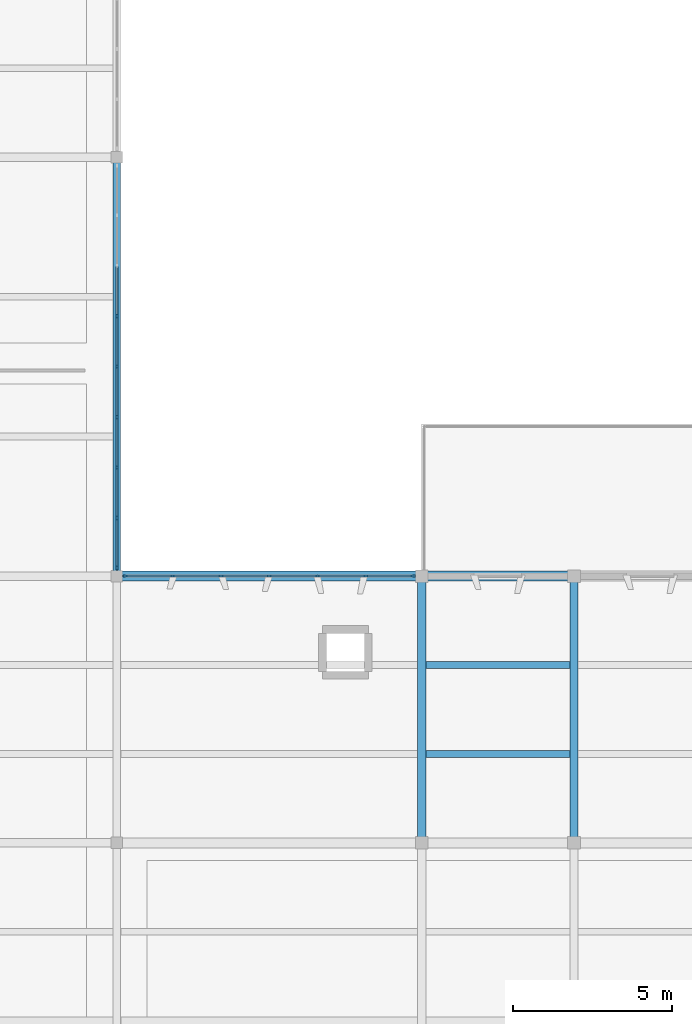
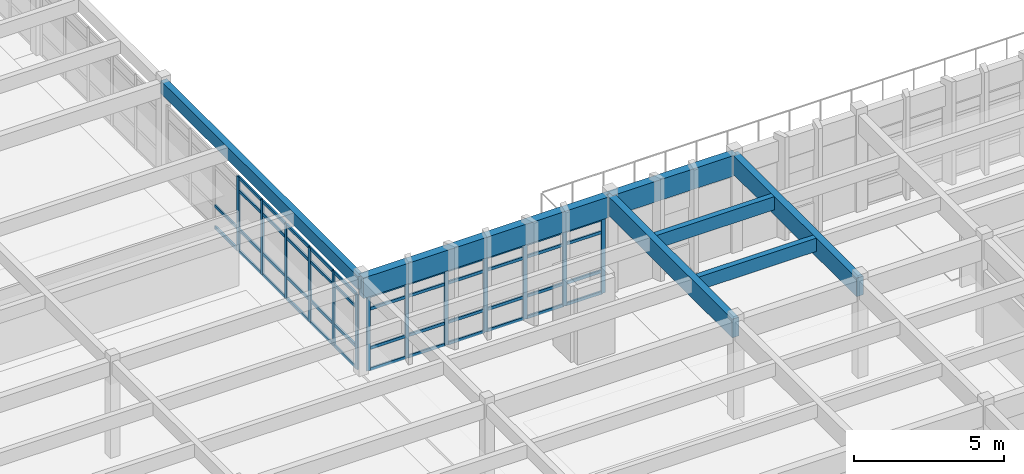
# One storey, part 11 of 61: 59 members, 7 beams, 2 elements without a shape of their own.
"""IFC4 building model written with IfcOpenShell, lengths in metres."""

from ifc_helpers import new_model, si_unit, direction, frame, origin, origin_2d, place, context, subcontext, project, spatial, rectangle, extrude, material, layer, layer_set, material_profile, profile_set, type_object, element, aggregate, save


model = new_model("IFC4")

# Units and contexts
model_context = context("Model", 3, precision=1e-05, world=origin(), true_north=direction((0.0, 1.0)))
body_context = subcontext(model_context, "Body", "Model", "MODEL_VIEW")
ifc_project = project(units=[si_unit("LENGTHUNIT", "METRE"), si_unit("AREAUNIT", "SQUARE_METRE"), si_unit("VOLUMEUNIT", "CUBIC_METRE"), si_unit("PLANEANGLEUNIT", "RADIAN"), si_unit("MASSUNIT", "GRAM", prefix="KILO")], contexts=[model_context])

# Site, building, storey
site_placement = place(None, origin())
site = spatial("IfcSite", under=ifc_project, at=site_placement, CompositionType="ELEMENT")
building_placement = place(site_placement, origin())
building = spatial("IfcBuilding", under=site, at=building_placement, Name="Kolvemor Railside Polytechnic", CompositionType="ELEMENT")
storey_placement = place(building_placement, frame((0.0, 0.0, 10.199951171875)))
storey = spatial("IfcBuildingStorey", under=building, at=storey_placement, Name="L02", CompositionType="ELEMENT", Elevation=10.199951171875)

# Beams
ifc_material_1 = material(Name="Glulam GL28h", Category="wood")
ifc_material_profile_1 = material_profile(ifc_material_1, rectangle(XDim=0.264892578125, YDim=0.760009765625, at=origin_2d()), Name="GL265x760")
ifc_profile_set_1 = profile_set([ifc_material_profile_1], Name="Glulam GL28h")
beam_type_1 = type_object("IfcBeamType", Name="BM-GL-GIRD1", PredefinedType="BEAM", material=ifc_profile_set_1)
for number, where, z_axis, x_axis, name in (
    (1, (57.60009765625, 30.0, 3.570068359375), (0.0, 1.0, 0.0), (-1.0, 0.0, 0.0), "Primary Girder L03-GY 1264"),
    (2, (62.39990234375, 30.0, 3.570068359375), (0.0, 1.0, 0.0), (-1.0, 0.0, 0.0), "Primary Girder L03-GY 1268"),
):
    element("IfcBeam", number, at=place(storey_placement, frame(where, z_axis=z_axis, x_axis=x_axis)), inside=storey, type_object=beam_type_1, Name=name, PredefinedType="BEAM", context=body_context, shape_type="SweptSolid", body=[
        extrude(rectangle(XDim=0.264892578125, YDim=0.760009765625, at=origin_2d()), origin(), (0.0, 0.0, 1.0), 8.39990234375),
    ])
ifc_material_2 = material(Name="Glulam GL28h", Category="wood")
ifc_material_profile_2 = material_profile(ifc_material_2, rectangle(XDim=0.31494140625, YDim=0.840087890625, at=origin_2d()), Name="GL315x840")
ifc_profile_set_2 = profile_set([ifc_material_profile_2], Name="Glulam GL28h")
beam_type_2 = type_object("IfcBeamType", Name="BM-GL-GIRD3", PredefinedType="BEAM", material=ifc_profile_set_2)
beam_1_placement = place(storey_placement, frame((57.60009765625, 38.39990234375, 3.530029296875), z_axis=(1.0, 0.0, 0.0), x_axis=(0.0, 1.0, 0.0)))
element("IfcBeam", 3, at=beam_1_placement, inside=storey, type_object=beam_type_2, Name="Primary Girder L03-GX 1252", PredefinedType="BEAM", context=body_context, shape_type="SweptSolid", body=[
    extrude(rectangle(XDim=0.31494140625, YDim=0.840087890625, at=origin_2d()), origin(), (0.0, 0.0, 1.0), 4.7998046875),
])
beam_2_placement = place(storey_placement, frame((48.0, 38.39990234375, 3.530029296875), z_axis=(1.0, 0.0, 0.0), x_axis=(0.0, 1.0, 0.0)))
element("IfcBeam", 4, at=beam_2_placement, inside=storey, type_object=beam_type_2, Name="Primary Girder L03-GX 1913", PredefinedType="BEAM", context=body_context, shape_type="SweptSolid", body=[
    extrude(rectangle(XDim=0.31494140625, YDim=0.840087890625, at=origin_2d()), origin(), (0.0, 0.0, 1.0), 9.60009765625),
])
ifc_material_3 = material(Name="Glulam GL28h", Category="wood")
ifc_material_profile_3 = material_profile(ifc_material_3, rectangle(XDim=0.239990234375, YDim=0.52001953125, at=origin_2d()), Name="GL240x520")
ifc_profile_set_3 = profile_set([ifc_material_profile_3], Name="Glulam GL28h")
beam_type_3 = type_object("IfcBeamType", Name="BM-GL-GIRD8", PredefinedType="BEAM", material=ifc_profile_set_3)
beam_3_placement = place(storey_placement, frame((48.0, 38.39990234375, 3.68994140625), z_axis=(0.0, 1.0, 0.0), x_axis=(-1.0, 0.0, 0.0)))
element("IfcBeam", 5, at=beam_3_placement, inside=storey, type_object=beam_type_3, Name="Primary Girder L03-GY 1160", PredefinedType="BEAM", context=body_context, shape_type="SweptSolid", body=[
    extrude(rectangle(XDim=0.239990234375, YDim=0.52001953125, at=origin_2d()), origin(), (0.0, 0.0, 1.0), 13.2001953125),
])
ifc_material_4 = material(Name="Glulam GL28h", Category="wood")
ifc_material_profile_4 = material_profile(ifc_material_4, rectangle(XDim=0.215087890625, YDim=0.5400390625, at=origin_2d()), Name="GL215x540")
ifc_profile_set_4 = profile_set([ifc_material_profile_4], Name="Glulam GL28h")
beam_type_4 = type_object("IfcBeamType", Name="BM-GL-JST1", PredefinedType="JOIST", material=ifc_profile_set_4)
for number, where, z_axis, x_axis, name in (
    (6, (57.73291015625, 32.800048828125, 3.679931640625), (1.0, 0.0, 0.0), (0.0, 1.0, 0.0), "Floor Joist L03-J1307"),
    (7, (57.73291015625, 35.60009765625, 3.679931640625), (1.0, 0.0, 0.0), (0.0, 1.0, 0.0), "Floor Joist L03-J1308"),
):
    element("IfcBeam", number, at=place(storey_placement, frame(where, z_axis=z_axis, x_axis=x_axis)), inside=storey, type_object=beam_type_4, Name=name, PredefinedType="JOIST", context=body_context, shape_type="SweptSolid", body=[
        extrude(rectangle(XDim=0.215087890625, YDim=0.5400390625, at=origin_2d()), origin(), (0.0, 0.0, 1.0), 4.5341796875),
    ])

# Curtain wall, members
ifc_material_5 = material(Name="Anodised marine aluminium and laminated low-E glass", Category="aluminium")
ifc_layer = layer(ifc_material_5, 0.179931640625, Name="CW-UNIT-STD")
ifc_layer_set = layer_set([ifc_layer], Name="Anodised marine aluminium and laminated low-E glass")
curtain_wall_type = type_object("IfcCurtainWallType", Name="CW-UNIT-STD", PredefinedType="USERDEFINED", material=ifc_layer_set)
curtain_wall_1_placement = place(storey_placement, origin())
curtain_wall_1 = element("IfcCurtainWall", 8, at=curtain_wall_1_placement, inside=storey, type_object=curtain_wall_type, Name="Curtain Wall L02-057", ObjectType="UNITISED CURTAIN WALL", PredefinedType="USERDEFINED")
ifc_material_6 = material(Name="Anodised marine aluminium 6063-T6", Category="aluminium")
ifc_material_profile_5 = material_profile(ifc_material_6, rectangle(XDim=0.06494140625, YDim=0.14990234375, at=origin_2d()), Name="CW-MUL-65x150")
ifc_profile_set_5 = profile_set([ifc_material_profile_5], Name="Anodised marine aluminium 6063-T6")
member_type_1 = type_object("IfcMemberType", Name="CWM-65x150", PredefinedType="MULLION", material=ifc_profile_set_5)
member_1_placement = place(storey_placement, frame((48.0, 38.672607421875, 0.0), z_axis=(0.0, 0.0, 1.0), x_axis=(-1.0, 0.0, 0.0)))
member_1 = element("IfcMember", 9, at=member_1_placement, type_object=member_type_1, Name="CW-STD mullion 1", PredefinedType="MULLION", context=body_context, shape_type="SweptSolid", body=[
    extrude(rectangle(XDim=0.06494140625, YDim=0.14990234375, at=origin_2d()), origin(), (0.0, 0.0, 1.0), 3.050048828125),
])
member_2_placement = place(storey_placement, frame((48.0, 40.22998046875, 0.0), z_axis=(0.0, 0.0, 1.0), x_axis=(-1.0, 0.0, 0.0)))
member_2 = element("IfcMember", 10, at=member_2_placement, type_object=member_type_1, Name="CW-STD mullion 2", PredefinedType="MULLION", context=body_context, shape_type="SweptSolid", body=[
    extrude(rectangle(XDim=0.06494140625, YDim=0.14990234375, at=origin_2d()), origin(), (0.0, 0.0, 1.0), 3.050048828125),
])
member_3_placement = place(storey_placement, frame((48.0, 41.820068359375, 0.0), z_axis=(0.0, 0.0, 1.0), x_axis=(-1.0, 0.0, 0.0)))
member_3 = element("IfcMember", 11, at=member_3_placement, type_object=member_type_1, Name="CW-STD mullion 3", PredefinedType="MULLION", context=body_context, shape_type="SweptSolid", body=[
    extrude(rectangle(XDim=0.06494140625, YDim=0.14990234375, at=origin_2d()), origin(), (0.0, 0.0, 1.0), 3.050048828125),
])
member_4_placement = place(storey_placement, frame((48.0, 43.409912109375, 0.0), z_axis=(0.0, 0.0, 1.0), x_axis=(-1.0, 0.0, 0.0)))
member_4 = element("IfcMember", 12, at=member_4_placement, type_object=member_type_1, Name="CW-STD mullion 4", PredefinedType="MULLION", context=body_context, shape_type="SweptSolid", body=[
    extrude(rectangle(XDim=0.06494140625, YDim=0.14990234375, at=origin_2d()), origin(), (0.0, 0.0, 1.0), 3.050048828125),
])
member_5_placement = place(storey_placement, frame((48.0, 45.0, 0.0), z_axis=(0.0, 0.0, 1.0), x_axis=(-1.0, 0.0, 0.0)))
member_5 = element("IfcMember", 13, at=member_5_placement, type_object=member_type_1, Name="CW-STD mullion 5", PredefinedType="MULLION", context=body_context, shape_type="SweptSolid", body=[
    extrude(rectangle(XDim=0.06494140625, YDim=0.14990234375, at=origin_2d()), origin(), (0.0, 0.0, 1.0), 3.050048828125),
])
member_6_placement = place(storey_placement, frame((48.0, 46.590087890625, 0.0), z_axis=(0.0, 0.0, 1.0), x_axis=(-1.0, 0.0, 0.0)))
member_6 = element("IfcMember", 14, at=member_6_placement, type_object=member_type_1, Name="CW-STD mullion 6", PredefinedType="MULLION", context=body_context, shape_type="SweptSolid", body=[
    extrude(rectangle(XDim=0.06494140625, YDim=0.14990234375, at=origin_2d()), origin(), (0.0, 0.0, 1.0), 3.050048828125),
])

curtain_wall_2_placement = place(storey_placement, origin())
curtain_wall_2 = element("IfcCurtainWall", 15, at=curtain_wall_2_placement, inside=storey, type_object=curtain_wall_type, Name="Curtain Wall L02-120", ObjectType="UNITISED CURTAIN WALL", PredefinedType="USERDEFINED")
member_7_placement = place(storey_placement, frame((57.327392578125, 38.39990234375, 0.0), z_axis=(0.0, 0.0, 1.0), x_axis=(0.0, -1.0, 0.0)))
member_7 = element("IfcMember", 16, at=member_7_placement, type_object=member_type_1, Name="CW-STD mullion 1", PredefinedType="MULLION", context=body_context, shape_type="SweptSolid", body=[
    extrude(rectangle(XDim=0.06494140625, YDim=0.14990234375, at=origin_2d()), origin(), (0.0, 0.0, 1.0), 3.050048828125),
])
member_8_placement = place(storey_placement, frame((55.840087890625, 38.39990234375, 0.0), z_axis=(0.0, 0.0, 1.0), x_axis=(0.0, -1.0, 0.0)))
member_8 = element("IfcMember", 17, at=member_8_placement, type_object=member_type_1, Name="CW-STD mullion 2", PredefinedType="MULLION", context=body_context, shape_type="SweptSolid", body=[
    extrude(rectangle(XDim=0.06494140625, YDim=0.14990234375, at=origin_2d()), origin(), (0.0, 0.0, 1.0), 3.050048828125),
])
member_9_placement = place(storey_placement, frame((54.320068359375, 38.39990234375, 0.0), z_axis=(0.0, 0.0, 1.0), x_axis=(0.0, -1.0, 0.0)))
member_9 = element("IfcMember", 18, at=member_9_placement, type_object=member_type_1, Name="CW-STD mullion 3", PredefinedType="MULLION", context=body_context, shape_type="SweptSolid", body=[
    extrude(rectangle(XDim=0.06494140625, YDim=0.14990234375, at=origin_2d()), origin(), (0.0, 0.0, 1.0), 3.050048828125),
])
member_10_placement = place(storey_placement, frame((52.800048828125, 38.39990234375, 0.0), z_axis=(0.0, 0.0, 1.0), x_axis=(0.0, -1.0, 0.0)))
member_10 = element("IfcMember", 19, at=member_10_placement, type_object=member_type_1, Name="CW-STD mullion 4", PredefinedType="MULLION", context=body_context, shape_type="SweptSolid", body=[
    extrude(rectangle(XDim=0.06494140625, YDim=0.14990234375, at=origin_2d()), origin(), (0.0, 0.0, 1.0), 3.050048828125),
])
member_11_placement = place(storey_placement, frame((51.280029296875, 38.39990234375, 0.0), z_axis=(0.0, 0.0, 1.0), x_axis=(0.0, -1.0, 0.0)))
member_11 = element("IfcMember", 20, at=member_11_placement, type_object=member_type_1, Name="CW-STD mullion 5", PredefinedType="MULLION", context=body_context, shape_type="SweptSolid", body=[
    extrude(rectangle(XDim=0.06494140625, YDim=0.14990234375, at=origin_2d()), origin(), (0.0, 0.0, 1.0), 3.050048828125),
])
member_12_placement = place(storey_placement, frame((49.760009765625, 38.39990234375, 0.0), z_axis=(0.0, 0.0, 1.0), x_axis=(0.0, -1.0, 0.0)))
member_12 = element("IfcMember", 21, at=member_12_placement, type_object=member_type_1, Name="CW-STD mullion 6", PredefinedType="MULLION", context=body_context, shape_type="SweptSolid", body=[
    extrude(rectangle(XDim=0.06494140625, YDim=0.14990234375, at=origin_2d()), origin(), (0.0, 0.0, 1.0), 3.050048828125),
])
member_13_placement = place(storey_placement, frame((48.2724609375, 38.39990234375, 0.0), z_axis=(0.0, 0.0, 1.0), x_axis=(0.0, -1.0, 0.0)))
member_13 = element("IfcMember", 22, at=member_13_placement, type_object=member_type_1, Name="CW-STD mullion 7", PredefinedType="MULLION", context=body_context, shape_type="SweptSolid", body=[
    extrude(rectangle(XDim=0.06494140625, YDim=0.14990234375, at=origin_2d()), origin(), (0.0, 0.0, 1.0), 3.050048828125),
])

# Member
ifc_material_7 = material(Name="Anodised marine aluminium 6063-T6", Category="aluminium")
ifc_material_profile_6 = material_profile(ifc_material_7, rectangle(XDim=0.06494140625, YDim=0.1201171875, at=origin_2d()), Name="CW-TRN-65x120")
ifc_profile_set_6 = profile_set([ifc_material_profile_6], Name="Anodised marine aluminium 6063-T6")
member_type_2 = type_object("IfcMemberType", Name="CWT-65x120", PredefinedType="USERDEFINED", material=ifc_profile_set_6)
member_14_placement = place(storey_placement, frame((48.0, 38.705078125, 0.032470703125), z_axis=(0.0, 1.0, 0.0), x_axis=(-1.0, 0.0, 0.0)))
member_14 = element("IfcMember", 23, at=member_14_placement, type_object=member_type_2, Name="CW-STD transom 1.1", ObjectType="TRANSOM", PredefinedType="USERDEFINED", context=body_context, shape_type="SweptSolid", body=[
    extrude(rectangle(XDim=0.06494140625, YDim=0.1201171875, at=origin_2d()), origin(), (0.0, 0.0, 1.0), 1.492431640625),
])

member_15_placement = place(storey_placement, frame((48.0, 38.705078125, 0.900146484375), z_axis=(0.0, 1.0, 0.0), x_axis=(-1.0, 0.0, 0.0)))
member_15 = element("IfcMember", 24, at=member_15_placement, type_object=member_type_2, Name="CW-STD transom 1.2", ObjectType="TRANSOM", PredefinedType="USERDEFINED", context=body_context, shape_type="SweptSolid", body=[
    extrude(rectangle(XDim=0.06494140625, YDim=0.1201171875, at=origin_2d()), origin(), (0.0, 0.0, 1.0), 1.492431640625),
])

member_16_placement = place(storey_placement, frame((48.0, 38.705078125, 2.5), z_axis=(0.0, 1.0, 0.0), x_axis=(-1.0, 0.0, 0.0)))
member_16 = element("IfcMember", 25, at=member_16_placement, type_object=member_type_2, Name="CW-STD transom 1.3", ObjectType="TRANSOM", PredefinedType="USERDEFINED", context=body_context, shape_type="SweptSolid", body=[
    extrude(rectangle(XDim=0.06494140625, YDim=0.1201171875, at=origin_2d()), origin(), (0.0, 0.0, 1.0), 1.492431640625),
])

member_17_placement = place(storey_placement, frame((48.0, 38.705078125, 3.017578125), z_axis=(0.0, 1.0, 0.0), x_axis=(-1.0, 0.0, 0.0)))
member_17 = element("IfcMember", 26, at=member_17_placement, type_object=member_type_2, Name="CW-STD transom 1.4", ObjectType="TRANSOM", PredefinedType="USERDEFINED", context=body_context, shape_type="SweptSolid", body=[
    extrude(rectangle(XDim=0.06494140625, YDim=0.1201171875, at=origin_2d()), origin(), (0.0, 0.0, 1.0), 1.492431640625),
])

member_18_placement = place(storey_placement, frame((48.0, 40.262451171875, 0.032470703125), z_axis=(0.0, 1.0, 0.0), x_axis=(-1.0, 0.0, 0.0)))
member_18 = element("IfcMember", 27, at=member_18_placement, type_object=member_type_2, Name="CW-STD transom 2.1", ObjectType="TRANSOM", PredefinedType="USERDEFINED", context=body_context, shape_type="SweptSolid", body=[
    extrude(rectangle(XDim=0.06494140625, YDim=0.1201171875, at=origin_2d()), origin(), (0.0, 0.0, 1.0), 1.525146484375),
])

member_19_placement = place(storey_placement, frame((48.0, 40.262451171875, 0.900146484375), z_axis=(0.0, 1.0, 0.0), x_axis=(-1.0, 0.0, 0.0)))
member_19 = element("IfcMember", 28, at=member_19_placement, type_object=member_type_2, Name="CW-STD transom 2.2", ObjectType="TRANSOM", PredefinedType="USERDEFINED", context=body_context, shape_type="SweptSolid", body=[
    extrude(rectangle(XDim=0.06494140625, YDim=0.1201171875, at=origin_2d()), origin(), (0.0, 0.0, 1.0), 1.525146484375),
])

member_20_placement = place(storey_placement, frame((48.0, 40.262451171875, 2.5), z_axis=(0.0, 1.0, 0.0), x_axis=(-1.0, 0.0, 0.0)))
member_20 = element("IfcMember", 29, at=member_20_placement, type_object=member_type_2, Name="CW-STD transom 2.3", ObjectType="TRANSOM", PredefinedType="USERDEFINED", context=body_context, shape_type="SweptSolid", body=[
    extrude(rectangle(XDim=0.06494140625, YDim=0.1201171875, at=origin_2d()), origin(), (0.0, 0.0, 1.0), 1.525146484375),
])

member_21_placement = place(storey_placement, frame((48.0, 40.262451171875, 3.017578125), z_axis=(0.0, 1.0, 0.0), x_axis=(-1.0, 0.0, 0.0)))
member_21 = element("IfcMember", 30, at=member_21_placement, type_object=member_type_2, Name="CW-STD transom 2.4", ObjectType="TRANSOM", PredefinedType="USERDEFINED", context=body_context, shape_type="SweptSolid", body=[
    extrude(rectangle(XDim=0.06494140625, YDim=0.1201171875, at=origin_2d()), origin(), (0.0, 0.0, 1.0), 1.525146484375),
])

member_22_placement = place(storey_placement, frame((48.0, 41.8525390625, 0.032470703125), z_axis=(0.0, 1.0, 0.0), x_axis=(-1.0, 0.0, 0.0)))
member_22 = element("IfcMember", 31, at=member_22_placement, type_object=member_type_2, Name="CW-STD transom 3.1", ObjectType="TRANSOM", PredefinedType="USERDEFINED", context=body_context, shape_type="SweptSolid", body=[
    extrude(rectangle(XDim=0.06494140625, YDim=0.1201171875, at=origin_2d()), origin(), (0.0, 0.0, 1.0), 1.52490234375),
])

member_23_placement = place(storey_placement, frame((48.0, 41.8525390625, 0.900146484375), z_axis=(0.0, 1.0, 0.0), x_axis=(-1.0, 0.0, 0.0)))
member_23 = element("IfcMember", 32, at=member_23_placement, type_object=member_type_2, Name="CW-STD transom 3.2", ObjectType="TRANSOM", PredefinedType="USERDEFINED", context=body_context, shape_type="SweptSolid", body=[
    extrude(rectangle(XDim=0.06494140625, YDim=0.1201171875, at=origin_2d()), origin(), (0.0, 0.0, 1.0), 1.52490234375),
])

member_24_placement = place(storey_placement, frame((48.0, 41.8525390625, 2.5), z_axis=(0.0, 1.0, 0.0), x_axis=(-1.0, 0.0, 0.0)))
member_24 = element("IfcMember", 33, at=member_24_placement, type_object=member_type_2, Name="CW-STD transom 3.3", ObjectType="TRANSOM", PredefinedType="USERDEFINED", context=body_context, shape_type="SweptSolid", body=[
    extrude(rectangle(XDim=0.06494140625, YDim=0.1201171875, at=origin_2d()), origin(), (0.0, 0.0, 1.0), 1.52490234375),
])

member_25_placement = place(storey_placement, frame((48.0, 41.8525390625, 3.017578125), z_axis=(0.0, 1.0, 0.0), x_axis=(-1.0, 0.0, 0.0)))
member_25 = element("IfcMember", 34, at=member_25_placement, type_object=member_type_2, Name="CW-STD transom 3.4", ObjectType="TRANSOM", PredefinedType="USERDEFINED", context=body_context, shape_type="SweptSolid", body=[
    extrude(rectangle(XDim=0.06494140625, YDim=0.1201171875, at=origin_2d()), origin(), (0.0, 0.0, 1.0), 1.52490234375),
])

member_26_placement = place(storey_placement, frame((48.0, 43.4423828125, 0.032470703125), z_axis=(0.0, 1.0, 0.0), x_axis=(-1.0, 0.0, 0.0)))
member_26 = element("IfcMember", 35, at=member_26_placement, type_object=member_type_2, Name="CW-STD transom 4.1", ObjectType="TRANSOM", PredefinedType="USERDEFINED", context=body_context, shape_type="SweptSolid", body=[
    extrude(rectangle(XDim=0.06494140625, YDim=0.1201171875, at=origin_2d()), origin(), (0.0, 0.0, 1.0), 1.525146484375),
])

member_27_placement = place(storey_placement, frame((48.0, 43.4423828125, 0.900146484375), z_axis=(0.0, 1.0, 0.0), x_axis=(-1.0, 0.0, 0.0)))
member_27 = element("IfcMember", 36, at=member_27_placement, type_object=member_type_2, Name="CW-STD transom 4.2", ObjectType="TRANSOM", PredefinedType="USERDEFINED", context=body_context, shape_type="SweptSolid", body=[
    extrude(rectangle(XDim=0.06494140625, YDim=0.1201171875, at=origin_2d()), origin(), (0.0, 0.0, 1.0), 1.525146484375),
])

member_28_placement = place(storey_placement, frame((48.0, 43.4423828125, 2.5), z_axis=(0.0, 1.0, 0.0), x_axis=(-1.0, 0.0, 0.0)))
member_28 = element("IfcMember", 37, at=member_28_placement, type_object=member_type_2, Name="CW-STD transom 4.3", ObjectType="TRANSOM", PredefinedType="USERDEFINED", context=body_context, shape_type="SweptSolid", body=[
    extrude(rectangle(XDim=0.06494140625, YDim=0.1201171875, at=origin_2d()), origin(), (0.0, 0.0, 1.0), 1.525146484375),
])

member_29_placement = place(storey_placement, frame((48.0, 43.4423828125, 3.017578125), z_axis=(0.0, 1.0, 0.0), x_axis=(-1.0, 0.0, 0.0)))
member_29 = element("IfcMember", 38, at=member_29_placement, type_object=member_type_2, Name="CW-STD transom 4.4", ObjectType="TRANSOM", PredefinedType="USERDEFINED", context=body_context, shape_type="SweptSolid", body=[
    extrude(rectangle(XDim=0.06494140625, YDim=0.1201171875, at=origin_2d()), origin(), (0.0, 0.0, 1.0), 1.525146484375),
])

member_30_placement = place(storey_placement, frame((48.0, 45.032470703125, 0.032470703125), z_axis=(0.0, 1.0, 0.0), x_axis=(-1.0, 0.0, 0.0)))
member_30 = element("IfcMember", 39, at=member_30_placement, type_object=member_type_2, Name="CW-STD transom 5.1", ObjectType="TRANSOM", PredefinedType="USERDEFINED", context=body_context, shape_type="SweptSolid", body=[
    extrude(rectangle(XDim=0.06494140625, YDim=0.1201171875, at=origin_2d()), origin(), (0.0, 0.0, 1.0), 1.525146484375),
])

member_31_placement = place(storey_placement, frame((48.0, 45.032470703125, 0.900146484375), z_axis=(0.0, 1.0, 0.0), x_axis=(-1.0, 0.0, 0.0)))
member_31 = element("IfcMember", 40, at=member_31_placement, type_object=member_type_2, Name="CW-STD transom 5.2", ObjectType="TRANSOM", PredefinedType="USERDEFINED", context=body_context, shape_type="SweptSolid", body=[
    extrude(rectangle(XDim=0.06494140625, YDim=0.1201171875, at=origin_2d()), origin(), (0.0, 0.0, 1.0), 1.525146484375),
])

member_32_placement = place(storey_placement, frame((48.0, 45.032470703125, 2.5), z_axis=(0.0, 1.0, 0.0), x_axis=(-1.0, 0.0, 0.0)))
member_32 = element("IfcMember", 41, at=member_32_placement, type_object=member_type_2, Name="CW-STD transom 5.3", ObjectType="TRANSOM", PredefinedType="USERDEFINED", context=body_context, shape_type="SweptSolid", body=[
    extrude(rectangle(XDim=0.06494140625, YDim=0.1201171875, at=origin_2d()), origin(), (0.0, 0.0, 1.0), 1.525146484375),
])

member_33_placement = place(storey_placement, frame((48.0, 45.032470703125, 3.017578125), z_axis=(0.0, 1.0, 0.0), x_axis=(-1.0, 0.0, 0.0)))
member_33 = element("IfcMember", 42, at=member_33_placement, type_object=member_type_2, Name="CW-STD transom 5.4", ObjectType="TRANSOM", PredefinedType="USERDEFINED", context=body_context, shape_type="SweptSolid", body=[
    extrude(rectangle(XDim=0.06494140625, YDim=0.1201171875, at=origin_2d()), origin(), (0.0, 0.0, 1.0), 1.525146484375),
])

member_34_placement = place(storey_placement, frame((48.0, 46.62255859375, 0.032470703125), z_axis=(0.0, 1.0, 0.0), x_axis=(-1.0, 0.0, 0.0)))
member_34 = element("IfcMember", 43, at=member_34_placement, type_object=member_type_2, Name="CW-STD transom 6.1", ObjectType="TRANSOM", PredefinedType="USERDEFINED", context=body_context, shape_type="SweptSolid", body=[
    extrude(rectangle(XDim=0.06494140625, YDim=0.1201171875, at=origin_2d()), origin(), (0.0, 0.0, 1.0), 1.52490234375),
])

member_35_placement = place(storey_placement, frame((48.0, 46.62255859375, 0.900146484375), z_axis=(0.0, 1.0, 0.0), x_axis=(-1.0, 0.0, 0.0)))
member_35 = element("IfcMember", 44, at=member_35_placement, type_object=member_type_2, Name="CW-STD transom 6.2", ObjectType="TRANSOM", PredefinedType="USERDEFINED", context=body_context, shape_type="SweptSolid", body=[
    extrude(rectangle(XDim=0.06494140625, YDim=0.1201171875, at=origin_2d()), origin(), (0.0, 0.0, 1.0), 1.52490234375),
])

aggregate(curtain_wall_1, [member_1, member_2, member_3, member_4, member_5, member_6, member_14, member_15, member_16, member_17, member_18, member_19, member_20, member_21, member_22, member_23, member_24, member_25, member_26, member_27, member_28, member_29, member_30, member_31, member_32, member_33, member_34, member_35])

member_36_placement = place(storey_placement, frame((57.294921875, 38.39990234375, 0.032470703125), z_axis=(-1.0, 0.0, 0.0), x_axis=(0.0, -1.0, 0.0)))
member_36 = element("IfcMember", 45, at=member_36_placement, type_object=member_type_2, Name="CW-STD transom 1.1", ObjectType="TRANSOM", PredefinedType="USERDEFINED", context=body_context, shape_type="SweptSolid", body=[
    extrude(rectangle(XDim=0.06494140625, YDim=0.1201171875, at=origin_2d()), origin(), (0.0, 0.0, 1.0), 1.42236328125),
])

member_37_placement = place(storey_placement, frame((57.294921875, 38.39990234375, 0.900146484375), z_axis=(-1.0, 0.0, 0.0), x_axis=(0.0, -1.0, 0.0)))
member_37 = element("IfcMember", 46, at=member_37_placement, type_object=member_type_2, Name="CW-STD transom 1.2", ObjectType="TRANSOM", PredefinedType="USERDEFINED", context=body_context, shape_type="SweptSolid", body=[
    extrude(rectangle(XDim=0.06494140625, YDim=0.1201171875, at=origin_2d()), origin(), (0.0, 0.0, 1.0), 1.42236328125),
])

member_38_placement = place(storey_placement, frame((57.294921875, 38.39990234375, 2.5), z_axis=(-1.0, 0.0, 0.0), x_axis=(0.0, -1.0, 0.0)))
member_38 = element("IfcMember", 47, at=member_38_placement, type_object=member_type_2, Name="CW-STD transom 1.3", ObjectType="TRANSOM", PredefinedType="USERDEFINED", context=body_context, shape_type="SweptSolid", body=[
    extrude(rectangle(XDim=0.06494140625, YDim=0.1201171875, at=origin_2d()), origin(), (0.0, 0.0, 1.0), 1.42236328125),
])

member_39_placement = place(storey_placement, frame((57.294921875, 38.39990234375, 3.017578125), z_axis=(-1.0, 0.0, 0.0), x_axis=(0.0, -1.0, 0.0)))
member_39 = element("IfcMember", 48, at=member_39_placement, type_object=member_type_2, Name="CW-STD transom 1.4", ObjectType="TRANSOM", PredefinedType="USERDEFINED", context=body_context, shape_type="SweptSolid", body=[
    extrude(rectangle(XDim=0.06494140625, YDim=0.1201171875, at=origin_2d()), origin(), (0.0, 0.0, 1.0), 1.42236328125),
])

member_40_placement = place(storey_placement, frame((55.8076171875, 38.39990234375, 0.032470703125), z_axis=(-1.0, 0.0, 0.0), x_axis=(0.0, -1.0, 0.0)))
member_40 = element("IfcMember", 49, at=member_40_placement, type_object=member_type_2, Name="CW-STD transom 2.1", ObjectType="TRANSOM", PredefinedType="USERDEFINED", context=body_context, shape_type="SweptSolid", body=[
    extrude(rectangle(XDim=0.06494140625, YDim=0.1201171875, at=origin_2d()), origin(), (0.0, 0.0, 1.0), 1.455078125),
])

member_41_placement = place(storey_placement, frame((55.8076171875, 38.39990234375, 0.900146484375), z_axis=(-1.0, 0.0, 0.0), x_axis=(0.0, -1.0, 0.0)))
member_41 = element("IfcMember", 50, at=member_41_placement, type_object=member_type_2, Name="CW-STD transom 2.2", ObjectType="TRANSOM", PredefinedType="USERDEFINED", context=body_context, shape_type="SweptSolid", body=[
    extrude(rectangle(XDim=0.06494140625, YDim=0.1201171875, at=origin_2d()), origin(), (0.0, 0.0, 1.0), 1.455078125),
])

member_42_placement = place(storey_placement, frame((55.8076171875, 38.39990234375, 2.5), z_axis=(-1.0, 0.0, 0.0), x_axis=(0.0, -1.0, 0.0)))
member_42 = element("IfcMember", 51, at=member_42_placement, type_object=member_type_2, Name="CW-STD transom 2.3", ObjectType="TRANSOM", PredefinedType="USERDEFINED", context=body_context, shape_type="SweptSolid", body=[
    extrude(rectangle(XDim=0.06494140625, YDim=0.1201171875, at=origin_2d()), origin(), (0.0, 0.0, 1.0), 1.455078125),
])

member_43_placement = place(storey_placement, frame((55.8076171875, 38.39990234375, 3.017578125), z_axis=(-1.0, 0.0, 0.0), x_axis=(0.0, -1.0, 0.0)))
member_43 = element("IfcMember", 52, at=member_43_placement, type_object=member_type_2, Name="CW-STD transom 2.4", ObjectType="TRANSOM", PredefinedType="USERDEFINED", context=body_context, shape_type="SweptSolid", body=[
    extrude(rectangle(XDim=0.06494140625, YDim=0.1201171875, at=origin_2d()), origin(), (0.0, 0.0, 1.0), 1.455078125),
])

member_44_placement = place(storey_placement, frame((54.28759765625, 38.39990234375, 0.032470703125), z_axis=(-1.0, 0.0, 0.0), x_axis=(0.0, -1.0, 0.0)))
member_44 = element("IfcMember", 53, at=member_44_placement, type_object=member_type_2, Name="CW-STD transom 3.1", ObjectType="TRANSOM", PredefinedType="USERDEFINED", context=body_context, shape_type="SweptSolid", body=[
    extrude(rectangle(XDim=0.06494140625, YDim=0.1201171875, at=origin_2d()), origin(), (0.0, 0.0, 1.0), 1.455078125),
])

member_45_placement = place(storey_placement, frame((54.28759765625, 38.39990234375, 0.900146484375), z_axis=(-1.0, 0.0, 0.0), x_axis=(0.0, -1.0, 0.0)))
member_45 = element("IfcMember", 54, at=member_45_placement, type_object=member_type_2, Name="CW-STD transom 3.2", ObjectType="TRANSOM", PredefinedType="USERDEFINED", context=body_context, shape_type="SweptSolid", body=[
    extrude(rectangle(XDim=0.06494140625, YDim=0.1201171875, at=origin_2d()), origin(), (0.0, 0.0, 1.0), 1.455078125),
])

member_46_placement = place(storey_placement, frame((54.28759765625, 38.39990234375, 2.5), z_axis=(-1.0, 0.0, 0.0), x_axis=(0.0, -1.0, 0.0)))
member_46 = element("IfcMember", 55, at=member_46_placement, type_object=member_type_2, Name="CW-STD transom 3.3", ObjectType="TRANSOM", PredefinedType="USERDEFINED", context=body_context, shape_type="SweptSolid", body=[
    extrude(rectangle(XDim=0.06494140625, YDim=0.1201171875, at=origin_2d()), origin(), (0.0, 0.0, 1.0), 1.455078125),
])

member_47_placement = place(storey_placement, frame((54.28759765625, 38.39990234375, 3.017578125), z_axis=(-1.0, 0.0, 0.0), x_axis=(0.0, -1.0, 0.0)))
member_47 = element("IfcMember", 56, at=member_47_placement, type_object=member_type_2, Name="CW-STD transom 3.4", ObjectType="TRANSOM", PredefinedType="USERDEFINED", context=body_context, shape_type="SweptSolid", body=[
    extrude(rectangle(XDim=0.06494140625, YDim=0.1201171875, at=origin_2d()), origin(), (0.0, 0.0, 1.0), 1.455078125),
])

member_48_placement = place(storey_placement, frame((52.767578125, 38.39990234375, 0.032470703125), z_axis=(-1.0, 0.0, 0.0), x_axis=(0.0, -1.0, 0.0)))
member_48 = element("IfcMember", 57, at=member_48_placement, type_object=member_type_2, Name="CW-STD transom 4.1", ObjectType="TRANSOM", PredefinedType="USERDEFINED", context=body_context, shape_type="SweptSolid", body=[
    extrude(rectangle(XDim=0.06494140625, YDim=0.1201171875, at=origin_2d()), origin(), (0.0, 0.0, 1.0), 1.455078125),
])

member_49_placement = place(storey_placement, frame((52.767578125, 38.39990234375, 0.900146484375), z_axis=(-1.0, 0.0, 0.0), x_axis=(0.0, -1.0, 0.0)))
member_49 = element("IfcMember", 58, at=member_49_placement, type_object=member_type_2, Name="CW-STD transom 4.2", ObjectType="TRANSOM", PredefinedType="USERDEFINED", context=body_context, shape_type="SweptSolid", body=[
    extrude(rectangle(XDim=0.06494140625, YDim=0.1201171875, at=origin_2d()), origin(), (0.0, 0.0, 1.0), 1.455078125),
])

member_50_placement = place(storey_placement, frame((52.767578125, 38.39990234375, 2.5), z_axis=(-1.0, 0.0, 0.0), x_axis=(0.0, -1.0, 0.0)))
member_50 = element("IfcMember", 59, at=member_50_placement, type_object=member_type_2, Name="CW-STD transom 4.3", ObjectType="TRANSOM", PredefinedType="USERDEFINED", context=body_context, shape_type="SweptSolid", body=[
    extrude(rectangle(XDim=0.06494140625, YDim=0.1201171875, at=origin_2d()), origin(), (0.0, 0.0, 1.0), 1.455078125),
])

member_51_placement = place(storey_placement, frame((52.767578125, 38.39990234375, 3.017578125), z_axis=(-1.0, 0.0, 0.0), x_axis=(0.0, -1.0, 0.0)))
member_51 = element("IfcMember", 60, at=member_51_placement, type_object=member_type_2, Name="CW-STD transom 4.4", ObjectType="TRANSOM", PredefinedType="USERDEFINED", context=body_context, shape_type="SweptSolid", body=[
    extrude(rectangle(XDim=0.06494140625, YDim=0.1201171875, at=origin_2d()), origin(), (0.0, 0.0, 1.0), 1.455078125),
])

member_52_placement = place(storey_placement, frame((51.24755859375, 38.39990234375, 0.032470703125), z_axis=(-1.0, 0.0, 0.0), x_axis=(0.0, -1.0, 0.0)))
member_52 = element("IfcMember", 61, at=member_52_placement, type_object=member_type_2, Name="CW-STD transom 5.1", ObjectType="TRANSOM", PredefinedType="USERDEFINED", context=body_context, shape_type="SweptSolid", body=[
    extrude(rectangle(XDim=0.06494140625, YDim=0.1201171875, at=origin_2d()), origin(), (0.0, 0.0, 1.0), 1.455078125),
])

member_53_placement = place(storey_placement, frame((51.24755859375, 38.39990234375, 0.900146484375), z_axis=(-1.0, 0.0, 0.0), x_axis=(0.0, -1.0, 0.0)))
member_53 = element("IfcMember", 62, at=member_53_placement, type_object=member_type_2, Name="CW-STD transom 5.2", ObjectType="TRANSOM", PredefinedType="USERDEFINED", context=body_context, shape_type="SweptSolid", body=[
    extrude(rectangle(XDim=0.06494140625, YDim=0.1201171875, at=origin_2d()), origin(), (0.0, 0.0, 1.0), 1.455078125),
])

member_54_placement = place(storey_placement, frame((51.24755859375, 38.39990234375, 2.5), z_axis=(-1.0, 0.0, 0.0), x_axis=(0.0, -1.0, 0.0)))
member_54 = element("IfcMember", 63, at=member_54_placement, type_object=member_type_2, Name="CW-STD transom 5.3", ObjectType="TRANSOM", PredefinedType="USERDEFINED", context=body_context, shape_type="SweptSolid", body=[
    extrude(rectangle(XDim=0.06494140625, YDim=0.1201171875, at=origin_2d()), origin(), (0.0, 0.0, 1.0), 1.455078125),
])

member_55_placement = place(storey_placement, frame((51.24755859375, 38.39990234375, 3.017578125), z_axis=(-1.0, 0.0, 0.0), x_axis=(0.0, -1.0, 0.0)))
member_55 = element("IfcMember", 64, at=member_55_placement, type_object=member_type_2, Name="CW-STD transom 5.4", ObjectType="TRANSOM", PredefinedType="USERDEFINED", context=body_context, shape_type="SweptSolid", body=[
    extrude(rectangle(XDim=0.06494140625, YDim=0.1201171875, at=origin_2d()), origin(), (0.0, 0.0, 1.0), 1.455078125),
])

member_56_placement = place(storey_placement, frame((49.7275390625, 38.39990234375, 0.032470703125), z_axis=(-1.0, 0.0, 0.0), x_axis=(0.0, -1.0, 0.0)))
member_56 = element("IfcMember", 65, at=member_56_placement, type_object=member_type_2, Name="CW-STD transom 6.1", ObjectType="TRANSOM", PredefinedType="USERDEFINED", context=body_context, shape_type="SweptSolid", body=[
    extrude(rectangle(XDim=0.06494140625, YDim=0.1201171875, at=origin_2d()), origin(), (0.0, 0.0, 1.0), 1.422607421875),
])

member_57_placement = place(storey_placement, frame((49.7275390625, 38.39990234375, 0.900146484375), z_axis=(-1.0, 0.0, 0.0), x_axis=(0.0, -1.0, 0.0)))
member_57 = element("IfcMember", 66, at=member_57_placement, type_object=member_type_2, Name="CW-STD transom 6.2", ObjectType="TRANSOM", PredefinedType="USERDEFINED", context=body_context, shape_type="SweptSolid", body=[
    extrude(rectangle(XDim=0.06494140625, YDim=0.1201171875, at=origin_2d()), origin(), (0.0, 0.0, 1.0), 1.422607421875),
])

member_58_placement = place(storey_placement, frame((49.7275390625, 38.39990234375, 2.5), z_axis=(-1.0, 0.0, 0.0), x_axis=(0.0, -1.0, 0.0)))
member_58 = element("IfcMember", 67, at=member_58_placement, type_object=member_type_2, Name="CW-STD transom 6.3", ObjectType="TRANSOM", PredefinedType="USERDEFINED", context=body_context, shape_type="SweptSolid", body=[
    extrude(rectangle(XDim=0.06494140625, YDim=0.1201171875, at=origin_2d()), origin(), (0.0, 0.0, 1.0), 1.422607421875),
])

member_59_placement = place(storey_placement, frame((49.7275390625, 38.39990234375, 3.017578125), z_axis=(-1.0, 0.0, 0.0), x_axis=(0.0, -1.0, 0.0)))
member_59 = element("IfcMember", 68, at=member_59_placement, type_object=member_type_2, Name="CW-STD transom 6.4", ObjectType="TRANSOM", PredefinedType="USERDEFINED", context=body_context, shape_type="SweptSolid", body=[
    extrude(rectangle(XDim=0.06494140625, YDim=0.1201171875, at=origin_2d()), origin(), (0.0, 0.0, 1.0), 1.422607421875),
])

aggregate(curtain_wall_2, [member_7, member_8, member_9, member_10, member_11, member_12, member_13, member_36, member_37, member_38, member_39, member_40, member_41, member_42, member_43, member_44, member_45, member_46, member_47, member_48, member_49, member_50, member_51, member_52, member_53, member_54, member_55, member_56, member_57, member_58, member_59])

save(model, "model.ifc")
